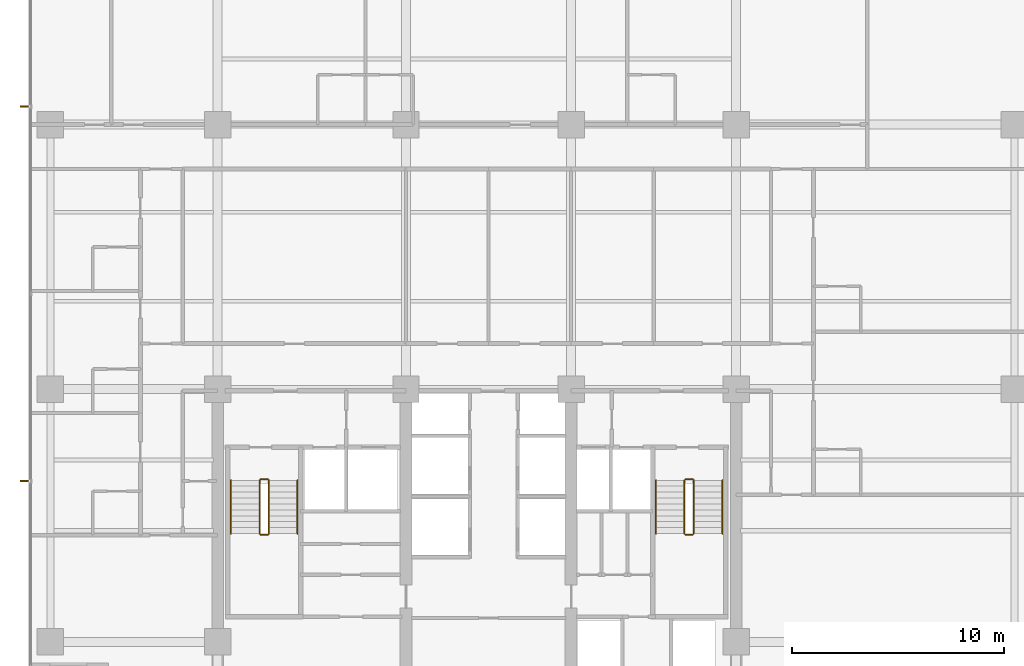
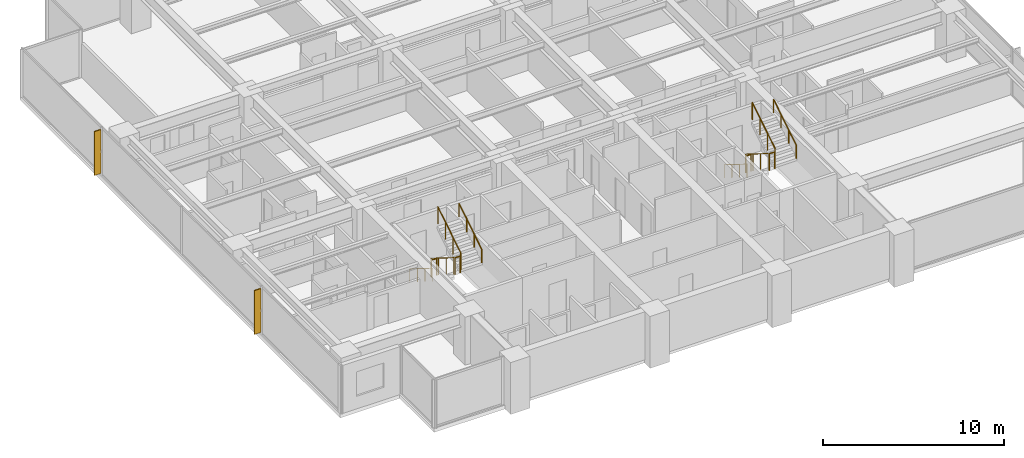
# One storey, part 16 of 17: 12 railings, 2 shading devices.
"""IFC4 building model written with IfcOpenShell, lengths in metres."""

from ifc_helpers import new_model, si_unit, direction, frame, origin, origin_2d, place, context, subcontext, project, spatial, polyline, circle, outline, extrude, material, layer, layer_set, type_object, element, save


model = new_model("IFC4")

# Units and contexts
model_context = context("Model", 3, precision=1e-05, world=origin(), true_north=direction((0.0, 1.0)))
body_context = subcontext(model_context, "Body", "Model", "MODEL_VIEW")
ifc_project = project(units=[si_unit("LENGTHUNIT", "METRE"), si_unit("AREAUNIT", "SQUARE_METRE"), si_unit("VOLUMEUNIT", "CUBIC_METRE"), si_unit("PLANEANGLEUNIT", "RADIAN"), si_unit("MASSUNIT", "GRAM", prefix="KILO")], contexts=[model_context])

# Site, building, storey
site_placement = place(None, origin())
site = spatial("IfcSite", under=ifc_project, at=site_placement, CompositionType="ELEMENT")
building_placement = place(site_placement, origin())
building = spatial("IfcBuilding", under=site, at=building_placement, Name="Qalmaran Belvedere Hotel", CompositionType="ELEMENT")
storey_placement = place(building_placement, frame((0.0, 0.0, 119.699951171875)))
storey = spatial("IfcBuildingStorey", under=building, at=storey_placement, Name="L30", CompositionType="ELEMENT", Elevation=119.699951171875)

# Shading devices
ifc_material_1 = material(Name="Anodised Bronze Aluminium", Category="aluminium")
ifc_layer = layer(ifc_material_1, 0.06494140625, Name="Anodised Bronze Aluminium")
ifc_layer_set = layer_set([ifc_layer], Name="Anodised Bronze Aluminium")
shading_device_type = type_object("IfcShadingDeviceType", Name="FIN-BRNZ-420", PredefinedType="USERDEFINED", material=ifc_layer_set)
shading_device_1_placement = place(storey_placement, frame((0.0, 0.0, 0.16015625)))
element("IfcShadingDevice", 1, at=shading_device_1_placement, inside=storey, type_object=shading_device_type, Name="L30 Bronze Fin 1", ObjectType="FIN", PredefinedType="USERDEFINED", context=body_context, shape_type="SweptSolid", body=[
    extrude(outline(polyline([(11.3798828125, 33.882568359375), (10.9599609375, 33.882568359375), (10.9599609375, 33.8173828125), (11.3798828125, 33.8173828125), (11.3798828125, 33.882568359375)])), origin(), (0.0, 0.0, 1.0), 2.9599609375),
])
shading_device_2_placement = place(storey_placement, frame((0.0, 0.0, 0.16015625)))
element("IfcShadingDevice", 2, at=shading_device_2_placement, inside=storey, type_object=shading_device_type, Name="L30 Bronze Fin 3", ObjectType="FIN", PredefinedType="USERDEFINED", context=body_context, shape_type="SweptSolid", body=[
    extrude(outline(polyline([(11.3798828125, 16.1826171875), (10.9599609375, 16.1826171875), (10.9599609375, 16.117431640625), (11.3798828125, 16.117431640625), (11.3798828125, 16.1826171875)])), origin(), (0.0, 0.0, 1.0), 2.9599609375),
])

# Railings
ifc_material_2 = material(Name="Stainless Steel 1.4401", Category="steel")
railing_type_1 = type_object("IfcRailingType", Name="RLG-STAIR-GUARD-1150", PredefinedType="GUARDRAIL", material=ifc_material_2)
railing_1_placement = place(storey_placement, frame((22.280029296875, 16.18994140625, 0.175048828125)))
element("IfcRailing", 3, at=railing_1_placement, inside=storey, type_object=railing_type_1, Name="L30 ST-1 stair guard 1", PredefinedType="GUARDRAIL", context=body_context, shape_type="SweptSolid", body=[
    extrude(circle(Radius=0.02392578125, at=origin_2d()), frame((0.0, 0.0, 1.1259765625), z_axis=(0.0, -0.848007534815, 0.529984170421), x_axis=(1.0, 0.0, 0.0)), (0.0, 0.0, 1.0), 2.9716796875),
    extrude(circle(Radius=0.02099609375, at=origin_2d()), origin(), (0.0, 0.0, 1.0), 1.101806640625),
    extrude(circle(Radius=0.02099609375, at=origin_2d()), frame((0.0, -0.840087890625, 0.52490234375)), (0.0, 0.0, 1.0), 1.101806640625),
    extrude(circle(Radius=0.02099609375, at=origin_2d()), frame((0.0, -1.679931640625, 1.050048828125)), (0.0, 0.0, 1.0), 1.101806640625),
    extrude(circle(Radius=0.02099609375, at=origin_2d()), frame((0.0, -2.52001953125, 1.574951171875)), (0.0, 0.0, 1.0), 1.101806640625),
])
railing_2_placement = place(storey_placement, frame((22.330078125, 13.6201171875, 1.75)))
element("IfcRailing", 4, at=railing_2_placement, inside=storey, type_object=railing_type_1, Name="L30 ST-1 stair guard 2", PredefinedType="GUARDRAIL", context=body_context, shape_type="SweptSolid", body=[
    extrude(circle(Radius=0.02392578125, at=origin_2d()), frame((0.0, 0.0, 1.1259765625), z_axis=(1.0, 0.0, 0.0), x_axis=(0.0, 1.0, 0.0)), (0.0, 0.0, 1.0), 0.33984375),
    extrude(circle(Radius=0.02099609375, at=origin_2d()), origin(), (0.0, 0.0, 1.0), 1.101806640625),
    extrude(circle(Radius=0.02099609375, at=origin_2d()), frame((0.33984375, 0.0, 0.0)), (0.0, 0.0, 1.0), 1.101806640625),
])
railing_3_placement = place(storey_placement, frame((22.719970703125, 13.669921875, 1.925048828125)))
element("IfcRailing", 5, at=railing_3_placement, inside=storey, type_object=railing_type_1, Name="L30 ST-1 stair guard 3", PredefinedType="GUARDRAIL", context=body_context, shape_type="SweptSolid", body=[
    extrude(circle(Radius=0.02392578125, at=origin_2d()), frame((0.0, 0.0, 1.1259765625), z_axis=(0.0, 0.848007534815, 0.529984170421), x_axis=(-1.0, 0.0, 0.0)), (0.0, 0.0, 1.0), 2.9716796875),
    extrude(circle(Radius=0.02099609375, at=origin_2d()), origin(), (0.0, 0.0, 1.0), 1.101806640625),
    extrude(circle(Radius=0.02099609375, at=origin_2d()), frame((0.0, 0.840087890625, 0.52490234375)), (0.0, 0.0, 1.0), 1.101806640625),
    extrude(circle(Radius=0.02099609375, at=origin_2d()), frame((0.0, 1.679931640625, 1.050048828125)), (0.0, 0.0, 1.0), 1.101806640625),
    extrude(circle(Radius=0.02099609375, at=origin_2d()), frame((0.0, 2.52001953125, 1.574951171875)), (0.0, 0.0, 1.0), 1.101806640625),
])
railing_4_placement = place(storey_placement, frame((22.330078125, 16.239990234375, 0.0)))
element("IfcRailing", 6, at=railing_4_placement, inside=storey, type_object=railing_type_1, Name="L30 ST-1 stair guard 4", PredefinedType="GUARDRAIL", context=body_context, shape_type="SweptSolid", body=[
    extrude(circle(Radius=0.02392578125, at=origin_2d()), frame((0.0, 0.0, 1.1259765625), z_axis=(1.0, 0.0, 0.0), x_axis=(0.0, 1.0, 0.0)), (0.0, 0.0, 1.0), 0.33984375),
    extrude(circle(Radius=0.02099609375, at=origin_2d()), origin(), (0.0, 0.0, 1.0), 1.101806640625),
    extrude(circle(Radius=0.02099609375, at=origin_2d()), frame((0.33984375, 0.0, 0.0)), (0.0, 0.0, 1.0), 1.101806640625),
])
railing_5_placement = place(storey_placement, frame((42.360107421875, 16.18994140625, 0.175048828125)))
element("IfcRailing", 7, at=railing_5_placement, inside=storey, type_object=railing_type_1, Name="L30 ST-2 stair guard 1", PredefinedType="GUARDRAIL", context=body_context, shape_type="SweptSolid", body=[
    extrude(circle(Radius=0.02392578125, at=origin_2d()), frame((0.0, 0.0, 1.1259765625), z_axis=(0.0, -0.848007534815, 0.529984170421), x_axis=(1.0, 0.0, 0.0)), (0.0, 0.0, 1.0), 2.9716796875),
    extrude(circle(Radius=0.02099609375, at=origin_2d()), origin(), (0.0, 0.0, 1.0), 1.101806640625),
    extrude(circle(Radius=0.02099609375, at=origin_2d()), frame((0.0, -0.840087890625, 0.52490234375)), (0.0, 0.0, 1.0), 1.101806640625),
    extrude(circle(Radius=0.02099609375, at=origin_2d()), frame((0.0, -1.679931640625, 1.050048828125)), (0.0, 0.0, 1.0), 1.101806640625),
    extrude(circle(Radius=0.02099609375, at=origin_2d()), frame((0.0, -2.52001953125, 1.574951171875)), (0.0, 0.0, 1.0), 1.101806640625),
])
railing_6_placement = place(storey_placement, frame((42.409912109375, 13.6201171875, 1.75)))
element("IfcRailing", 8, at=railing_6_placement, inside=storey, type_object=railing_type_1, Name="L30 ST-2 stair guard 2", PredefinedType="GUARDRAIL", context=body_context, shape_type="SweptSolid", body=[
    extrude(circle(Radius=0.02392578125, at=origin_2d()), frame((0.0, 0.0, 1.1259765625), z_axis=(1.0, 0.0, 0.0), x_axis=(0.0, 1.0, 0.0)), (0.0, 0.0, 1.0), 0.340087890625),
    extrude(circle(Radius=0.02099609375, at=origin_2d()), origin(), (0.0, 0.0, 1.0), 1.101806640625),
    extrude(circle(Radius=0.02099609375, at=origin_2d()), frame((0.340087890625, 0.0, 0.0)), (0.0, 0.0, 1.0), 1.101806640625),
])
railing_7_placement = place(storey_placement, frame((42.800048828125, 13.669921875, 1.925048828125)))
element("IfcRailing", 9, at=railing_7_placement, inside=storey, type_object=railing_type_1, Name="L30 ST-2 stair guard 3", PredefinedType="GUARDRAIL", context=body_context, shape_type="SweptSolid", body=[
    extrude(circle(Radius=0.02392578125, at=origin_2d()), frame((0.0, 0.0, 1.1259765625), z_axis=(0.0, 0.848007534815, 0.529984170421), x_axis=(-1.0, 0.0, 0.0)), (0.0, 0.0, 1.0), 2.9716796875),
    extrude(circle(Radius=0.02099609375, at=origin_2d()), origin(), (0.0, 0.0, 1.0), 1.101806640625),
    extrude(circle(Radius=0.02099609375, at=origin_2d()), frame((0.0, 0.840087890625, 0.52490234375)), (0.0, 0.0, 1.0), 1.101806640625),
    extrude(circle(Radius=0.02099609375, at=origin_2d()), frame((0.0, 1.679931640625, 1.050048828125)), (0.0, 0.0, 1.0), 1.101806640625),
    extrude(circle(Radius=0.02099609375, at=origin_2d()), frame((0.0, 2.52001953125, 1.574951171875)), (0.0, 0.0, 1.0), 1.101806640625),
])
railing_8_placement = place(storey_placement, frame((42.409912109375, 16.239990234375, 0.0)))
element("IfcRailing", 10, at=railing_8_placement, inside=storey, type_object=railing_type_1, Name="L30 ST-2 stair guard 4", PredefinedType="GUARDRAIL", context=body_context, shape_type="SweptSolid", body=[
    extrude(circle(Radius=0.02392578125, at=origin_2d()), frame((0.0, 0.0, 1.1259765625), z_axis=(1.0, 0.0, 0.0), x_axis=(0.0, 1.0, 0.0)), (0.0, 0.0, 1.0), 0.340087890625),
    extrude(circle(Radius=0.02099609375, at=origin_2d()), origin(), (0.0, 0.0, 1.0), 1.101806640625),
    extrude(circle(Radius=0.02099609375, at=origin_2d()), frame((0.340087890625, 0.0, 0.0)), (0.0, 0.0, 1.0), 1.101806640625),
])
railing_type_2 = type_object("IfcRailingType", Name="RLG-STAIR-HAND-910", PredefinedType="HANDRAIL", material=ifc_material_2)
railing_9_placement = place(storey_placement, frame((20.929931640625, 16.18994140625, 0.175048828125)))
element("IfcRailing", 11, at=railing_9_placement, inside=storey, type_object=railing_type_2, Name="L30 ST-1 stair handrail 1", PredefinedType="HANDRAIL", context=body_context, shape_type="SweptSolid", body=[
    extrude(circle(Radius=0.02392578125, at=origin_2d()), frame((0.0, 0.0, 0.8857421875), z_axis=(0.0, -0.848007534815, 0.529984170421), x_axis=(1.0, 0.0, 0.0)), (0.0, 0.0, 1.0), 2.9716796875),
    extrude(circle(Radius=0.02099609375, at=origin_2d()), origin(), (0.0, 0.0, 1.0), 0.86181640625),
    extrude(circle(Radius=0.02099609375, at=origin_2d()), frame((0.0, -0.840087890625, 0.52490234375)), (0.0, 0.0, 1.0), 0.86181640625),
    extrude(circle(Radius=0.02099609375, at=origin_2d()), frame((0.0, -1.679931640625, 1.050048828125)), (0.0, 0.0, 1.0), 0.86181640625),
    extrude(circle(Radius=0.02099609375, at=origin_2d()), frame((0.0, -2.52001953125, 1.574951171875)), (0.0, 0.0, 1.0), 0.86181640625),
])
railing_10_placement = place(storey_placement, frame((24.070068359375, 13.669921875, 1.925048828125)))
element("IfcRailing", 12, at=railing_10_placement, inside=storey, type_object=railing_type_2, Name="L30 ST-1 stair handrail 2", PredefinedType="HANDRAIL", context=body_context, shape_type="SweptSolid", body=[
    extrude(circle(Radius=0.02392578125, at=origin_2d()), frame((0.0, 0.0, 0.8857421875), z_axis=(0.0, 0.848007534815, 0.529984170421), x_axis=(-1.0, 0.0, 0.0)), (0.0, 0.0, 1.0), 2.9716796875),
    extrude(circle(Radius=0.02099609375, at=origin_2d()), origin(), (0.0, 0.0, 1.0), 0.86181640625),
    extrude(circle(Radius=0.02099609375, at=origin_2d()), frame((0.0, 0.840087890625, 0.52490234375)), (0.0, 0.0, 1.0), 0.86181640625),
    extrude(circle(Radius=0.02099609375, at=origin_2d()), frame((0.0, 1.679931640625, 1.050048828125)), (0.0, 0.0, 1.0), 0.86181640625),
    extrude(circle(Radius=0.02099609375, at=origin_2d()), frame((0.0, 2.52001953125, 1.574951171875)), (0.0, 0.0, 1.0), 0.86181640625),
])
railing_11_placement = place(storey_placement, frame((41.010009765625, 16.18994140625, 0.175048828125)))
element("IfcRailing", 13, at=railing_11_placement, inside=storey, type_object=railing_type_2, Name="L30 ST-2 stair handrail 1", PredefinedType="HANDRAIL", context=body_context, shape_type="SweptSolid", body=[
    extrude(circle(Radius=0.02392578125, at=origin_2d()), frame((0.0, 0.0, 0.8857421875), z_axis=(0.0, -0.848007534815, 0.529984170421), x_axis=(1.0, 0.0, 0.0)), (0.0, 0.0, 1.0), 2.9716796875),
    extrude(circle(Radius=0.02099609375, at=origin_2d()), origin(), (0.0, 0.0, 1.0), 0.86181640625),
    extrude(circle(Radius=0.02099609375, at=origin_2d()), frame((0.0, -0.840087890625, 0.52490234375)), (0.0, 0.0, 1.0), 0.86181640625),
    extrude(circle(Radius=0.02099609375, at=origin_2d()), frame((0.0, -1.679931640625, 1.050048828125)), (0.0, 0.0, 1.0), 0.86181640625),
    extrude(circle(Radius=0.02099609375, at=origin_2d()), frame((0.0, -2.52001953125, 1.574951171875)), (0.0, 0.0, 1.0), 0.86181640625),
])
railing_12_placement = place(storey_placement, frame((44.14990234375, 13.669921875, 1.925048828125)))
element("IfcRailing", 14, at=railing_12_placement, inside=storey, type_object=railing_type_2, Name="L30 ST-2 stair handrail 2", PredefinedType="HANDRAIL", context=body_context, shape_type="SweptSolid", body=[
    extrude(circle(Radius=0.02392578125, at=origin_2d()), frame((0.0, 0.0, 0.8857421875), z_axis=(0.0, 0.848007534815, 0.529984170421), x_axis=(-1.0, 0.0, 0.0)), (0.0, 0.0, 1.0), 2.9716796875),
    extrude(circle(Radius=0.02099609375, at=origin_2d()), origin(), (0.0, 0.0, 1.0), 0.86181640625),
    extrude(circle(Radius=0.02099609375, at=origin_2d()), frame((0.0, 0.840087890625, 0.52490234375)), (0.0, 0.0, 1.0), 0.86181640625),
    extrude(circle(Radius=0.02099609375, at=origin_2d()), frame((0.0, 1.679931640625, 1.050048828125)), (0.0, 0.0, 1.0), 0.86181640625),
    extrude(circle(Radius=0.02099609375, at=origin_2d()), frame((0.0, 2.52001953125, 1.574951171875)), (0.0, 0.0, 1.0), 0.86181640625),
])

save(model, "model.ifc")
